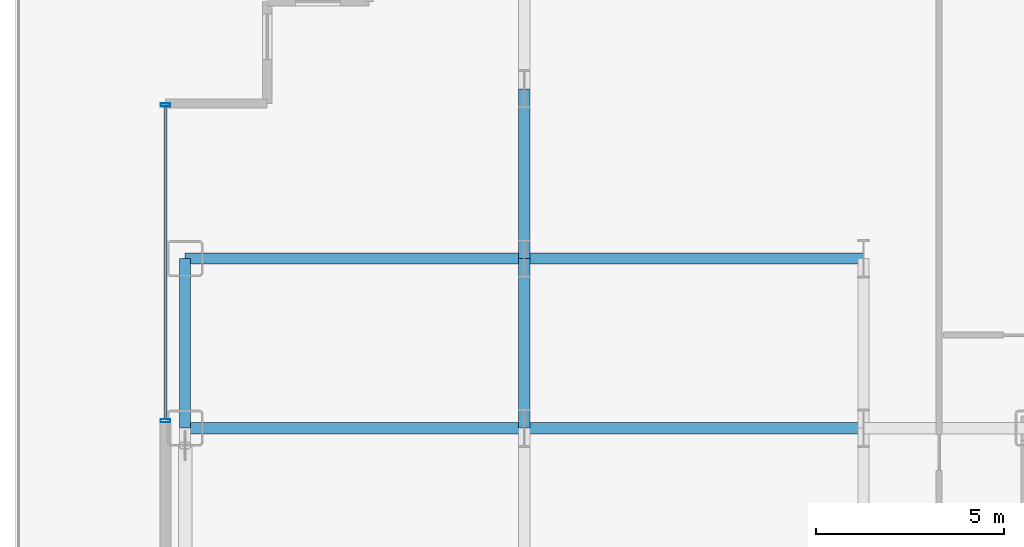
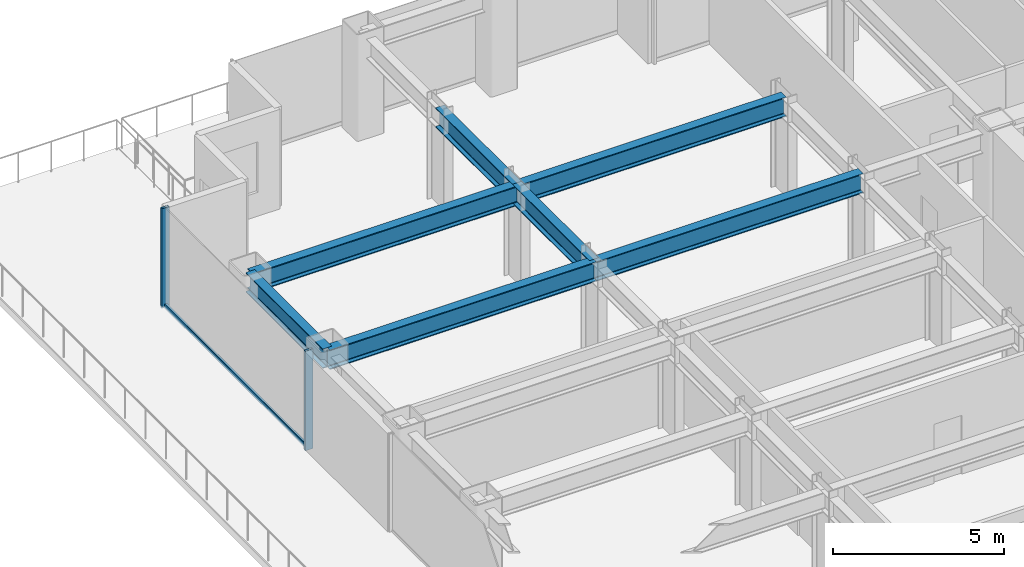
# One storey, part 11 of 30: 7 beams, 3 members, 1 element without a shape of its own.
"""IFC4 building model written with IfcOpenShell, lengths in metres."""

from ifc_helpers import new_model, si_unit, direction, frame, origin, origin_2d, place, context, subcontext, project, spatial, hollow_rectangle, i_section, extrude, source, transform, mapped, material, layer, layer_set, material_profile, profile_set, type_object, element, aggregate, save


model = new_model("IFC4")

# Units and contexts
model_context = context("Model", 3, precision=1e-05, world=origin(), true_north=direction((0.0, 1.0)))
body_context = subcontext(model_context, "Body", "Model", "MODEL_VIEW")
ifc_project = project(units=[si_unit("LENGTHUNIT", "METRE"), si_unit("AREAUNIT", "SQUARE_METRE"), si_unit("VOLUMEUNIT", "CUBIC_METRE"), si_unit("PLANEANGLEUNIT", "RADIAN"), si_unit("MASSUNIT", "GRAM", prefix="KILO")], contexts=[model_context])

# Site, building, storey
site_placement = place(None, origin())
site = spatial("IfcSite", under=ifc_project, at=site_placement, CompositionType="ELEMENT")
building_placement = place(site_placement, origin())
building = spatial("IfcBuilding", under=site, at=building_placement, Name="Nefas-Gora Pilgrimage Tower", CompositionType="ELEMENT")
storey_placement = place(building_placement, frame((0.0, 0.0, 33.0)))
storey = spatial("IfcBuildingStorey", under=building, at=storey_placement, Name="L06", CompositionType="ELEMENT", Elevation=33.0)

# Beams
ifc_material_1 = material(Name="Steel S355", Category="steel")
ifc_material_profile_1 = material_profile(ifc_material_1, i_section(OverallWidth=0.300048828125, OverallDepth=0.699951171875, WebThickness=0.01708984375, FlangeThickness=0.031982421875, FilletRadius=0.027099609375, at=origin_2d()), Name="HEB 700")
ifc_profile_set_1 = profile_set([ifc_material_profile_1], Name="Steel S355")
beam_type_1 = type_object("IfcBeamType", Name="BM-SPN-HEB600", PredefinedType="SPANDREL", material=ifc_profile_set_1)
shared_shape_1 = source(origin(), body_context, "Body", "SweptSolid", [
    extrude(i_section(OverallWidth=0.300048828125, OverallDepth=0.699951171875, WebThickness=0.01708984375, FlangeThickness=0.031982421875, FilletRadius=0.027099609375, at=origin_2d()), origin(), (0.0, 0.0, 1.0), 4.5),
])
beam_placement = place(storey_placement, frame((-33.75, 9.0, 3.199951171875), z_axis=(0.0, 1.0, 0.0), x_axis=(-1.0, 0.0, 0.0)))
element("IfcBeam", 1, at=beam_placement, inside=storey, type_object=beam_type_1, Name="L06 SP-01 beam", PredefinedType="SPANDREL", context=body_context, shape_type="MappedRepresentation", body=[
    mapped(shared_shape_1, transform((0.0, 0.0, 0.0), x_axis=(1.0, 0.0, 0.0), y_axis=(0.0, 1.0, 0.0), z_axis=(0.0, 0.0, 1.0), scale=1.0)),
])
ifc_material_profile_2 = material_profile(ifc_material_1, i_section(OverallWidth=0.300048828125, OverallDepth=0.699951171875, WebThickness=0.01708984375, FlangeThickness=0.031982421875, FilletRadius=0.027099609375, at=origin_2d()), Name="HEB 700")
ifc_profile_set_2 = profile_set([ifc_material_profile_2], Name="Steel S355")
beam_type_2 = type_object("IfcBeamType", Name="BM-GIR-HEB700", PredefinedType="BEAM", material=ifc_profile_set_2)
shared_shape_2 = source(origin(), body_context, "Body", "SweptSolid", [
    extrude(i_section(OverallWidth=0.300048828125, OverallDepth=0.699951171875, WebThickness=0.01708984375, FlangeThickness=0.031982421875, FilletRadius=0.027099609375, at=origin_2d()), origin(), (0.0, 0.0, 1.0), 9.0),
])
for number, where, z_axis, x_axis, name in (
    (2, (-33.75, 9.0, 3.199951171875), (1.0, 0.0, 0.0), (0.0, 1.0, 0.0), "L06 G-02 beam"),
    (3, (-33.75, 13.5, 3.199951171875), (1.0, 0.0, 0.0), (0.0, 1.0, 0.0), "L06 G-02 beam"),
    (4, (-24.75, 9.0, 3.199951171875), (1.0, 0.0, 0.0), (0.0, 1.0, 0.0), "L06 G-02 beam"),
    (5, (-24.75, 13.5, 3.199951171875), (1.0, 0.0, 0.0), (0.0, 1.0, 0.0), "L06 G-02 beam"),
):
    element("IfcBeam", number, at=place(storey_placement, frame(where, z_axis=z_axis, x_axis=x_axis)), inside=storey, type_object=beam_type_2, Name=name, PredefinedType="BEAM", context=body_context, shape_type="MappedRepresentation", body=[
        mapped(shared_shape_2, transform((0.0, 0.0, 0.0), x_axis=(1.0, 0.0, 0.0), y_axis=(0.0, 1.0, 0.0), z_axis=(0.0, 0.0, 1.0), scale=1.0)),
    ])
shared_shape_3 = source(origin(), body_context, "Body", "SweptSolid", [
    extrude(i_section(OverallWidth=0.300048828125, OverallDepth=0.699951171875, WebThickness=0.01708984375, FlangeThickness=0.031982421875, FilletRadius=0.027099609375, at=origin_2d()), origin(), (0.0, 0.0, 1.0), 4.5),
])
for number, where, z_axis, x_axis, name in (
    (6, (-24.75, 9.0, 3.199951171875), (0.0, 1.0, 0.0), (-1.0, 0.0, 0.0), "L06 G-02 beam"),
    (7, (-24.75, 13.5, 3.199951171875), (0.0, 1.0, 0.0), (-1.0, 0.0, 0.0), "L06 G-02 beam"),
):
    element("IfcBeam", number, at=place(storey_placement, frame(where, z_axis=z_axis, x_axis=x_axis)), inside=storey, type_object=beam_type_2, Name=name, PredefinedType="BEAM", context=body_context, shape_type="MappedRepresentation", body=[
        mapped(shared_shape_3, transform((0.0, 0.0, 0.0), x_axis=(1.0, 0.0, 0.0), y_axis=(0.0, 1.0, 0.0), z_axis=(0.0, 0.0, 1.0), scale=1.0)),
    ])

# Curtain wall, members
ifc_material_2 = material(Name="Dark ceramic-fritted solar-control aluminium-glass curtain wall", Category="aluminium")
ifc_layer = layer(ifc_material_2, 0.219970703125)
ifc_layer_set = layer_set([ifc_layer], Name="Dark ceramic-fritted solar-control aluminium-glass curtain wall")
curtain_wall_type = type_object("IfcCurtainWallType", Name="CW-SYS-2", PredefinedType="NOTDEFINED", material=ifc_layer_set)
curtain_wall_placement = place(storey_placement, origin())
curtain_wall = element("IfcCurtainWall", 8, at=curtain_wall_placement, inside=storey, type_object=curtain_wall_type, Name="L06 Unitised Curtain Wall CW2", PredefinedType="NOTDEFINED")
ifc_material_3 = material(Name="Anodised architectural aluminium", Category="aluminium")
ifc_material_profile_3 = material_profile(ifc_material_3, hollow_rectangle(XDim=0.090087890625, YDim=0.260009765625, WallThickness=0.006103515625, InnerFilletRadius=0.006103515625, OuterFilletRadius=0.011962890625, at=origin_2d()), Name="ALU MULLION 90x260")
ifc_profile_set_3 = profile_set([ifc_material_profile_3], Name="Anodised architectural aluminium")
member_type_1 = type_object("IfcMemberType", Name="CWM-MUL-2", PredefinedType="MULLION", material=ifc_profile_set_3)
shared_shape_4 = source(origin(), body_context, "Body", "SweptSolid", [
    extrude(hollow_rectangle(XDim=0.090087890625, YDim=0.260009765625, WallThickness=0.006103515625, InnerFilletRadius=0.006103515625, OuterFilletRadius=0.011962890625, at=origin_2d()), origin(), (0.0, 0.0, 1.0), 3.550048828125),
])
member_1_placement = place(storey_placement, frame((-34.27001953125, 17.574951171875, 0.0), z_axis=(0.0, 0.0, 1.0), x_axis=(0.0, -1.0, 0.0)))
member_1 = element("IfcMember", 9, at=member_1_placement, type_object=member_type_1, Name="CW2 Mullion 1", PredefinedType="MULLION", context=body_context, shape_type="MappedRepresentation", body=[
    mapped(shared_shape_4, transform((0.0, 0.0, 0.0), x_axis=(1.0, 0.0, 0.0), y_axis=(0.0, 1.0, 0.0), z_axis=(0.0, 0.0, 1.0), scale=1.0)),
])
member_2_placement = place(storey_placement, frame((-34.27001953125, 9.195068359375, 0.0), z_axis=(0.0, 0.0, 1.0), x_axis=(0.0, -1.0, 0.0)))
member_2 = element("IfcMember", 10, at=member_2_placement, type_object=member_type_1, Name="CW2 Mullion 2", PredefinedType="MULLION", context=body_context, shape_type="MappedRepresentation", body=[
    mapped(shared_shape_4, transform((0.0, 0.0, 0.0), x_axis=(1.0, 0.0, 0.0), y_axis=(0.0, 1.0, 0.0), z_axis=(0.0, 0.0, 1.0), scale=1.0)),
])
ifc_material_profile_4 = material_profile(ifc_material_3, hollow_rectangle(XDim=0.080078125, YDim=0.159912109375, WallThickness=0.00439453125, InnerFilletRadius=0.00439453125, OuterFilletRadius=0.009033203125, at=origin_2d()), Name="ALU TRANSOM 80x160")
ifc_profile_set_4 = profile_set([ifc_material_profile_4], Name="Anodised architectural aluminium")
member_type_2 = type_object("IfcMemberType", Name="CWM-TRN-2", PredefinedType="USERDEFINED", material=ifc_profile_set_4)
shared_shape_5 = source(origin(), body_context, "Body", "SweptSolid", [
    extrude(hollow_rectangle(XDim=0.080078125, YDim=0.159912109375, WallThickness=0.00439453125, InnerFilletRadius=0.00439453125, OuterFilletRadius=0.009033203125, at=origin_2d()), origin(), (0.0, 0.0, 1.0), 8.2900390625),
])
member_3_placement = place(storey_placement, frame((-34.27001953125, 17.530029296875, 0.050048828125), z_axis=(0.0, -1.0, 0.0), x_axis=(1.0, 0.0, 0.0)))
member_3 = element("IfcMember", 11, at=member_3_placement, type_object=member_type_2, Name="CW2 Spandrel Transom", ObjectType="TRANSOM", PredefinedType="USERDEFINED", context=body_context, shape_type="MappedRepresentation", body=[
    mapped(shared_shape_5, transform((0.0, 0.0, 0.0), x_axis=(1.0, 0.0, 0.0), y_axis=(0.0, 1.0, 0.0), z_axis=(0.0, 0.0, 1.0), scale=1.0)),
])
aggregate(curtain_wall, [member_1, member_2, member_3])

save(model, "model.ifc")
